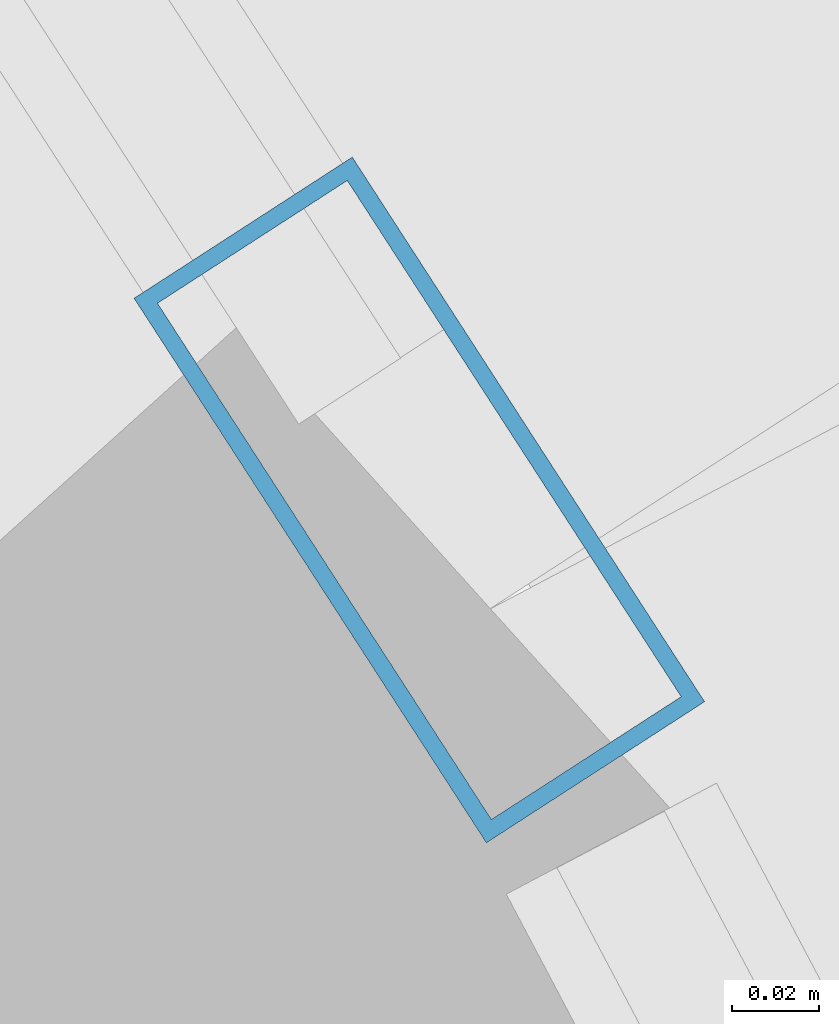
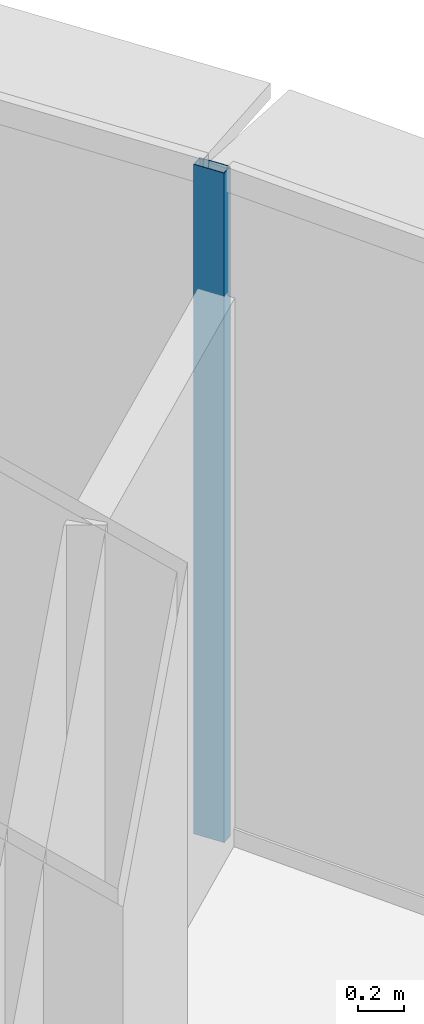
# One storey, part 20 of 40: 1 member, 1 element without a shape of its own.
"""IFC4 building model written with IfcOpenShell, lengths in metres."""

from ifc_helpers import new_model, si_unit, direction, frame, origin, origin_2d, place, context, subcontext, project, spatial, hollow_rectangle, extrude, source, transform, mapped, material, layer, layer_set, material_profile, profile_set, type_object, element, aggregate, save


model = new_model("IFC4")

# Units and contexts
model_context = context("Model", 3, precision=1e-05, world=origin(), true_north=direction((0.0, 1.0)))
body_context = subcontext(model_context, "Body", "Model", "MODEL_VIEW")
ifc_project = project(units=[si_unit("LENGTHUNIT", "METRE"), si_unit("AREAUNIT", "SQUARE_METRE"), si_unit("VOLUMEUNIT", "CUBIC_METRE"), si_unit("PLANEANGLEUNIT", "RADIAN"), si_unit("MASSUNIT", "GRAM", prefix="KILO"), si_unit("THERMODYNAMICTEMPERATUREUNIT", "KELVIN"), si_unit("POWERUNIT", "WATT")], contexts=[model_context])

# Site, building, storey
site_placement = place(None, origin())
site = spatial("IfcSite", under=ifc_project, at=site_placement, CompositionType="ELEMENT")
building_placement = place(site_placement, origin())
building = spatial("IfcBuilding", under=site, at=building_placement, Name="Yunzhuo Pagoda Commons", CompositionType="ELEMENT")
storey_placement = place(building_placement, frame((0.0, 0.0, 180.9599609375)))
storey = spatial("IfcBuildingStorey", under=building, at=storey_placement, Name="L45", CompositionType="ELEMENT", Elevation=180.9599609375)

# Curtain wall, member
ifc_material = material(Name="Anodized aluminium 6063-T6", Category="aluminium")
ifc_layer = layer(ifc_material, 0.14990234375)
ifc_layer_set = layer_set([ifc_layer], Name="Anodized aluminium 6063-T6")
curtain_wall_type = type_object("IfcCurtainWallType", Name="CW-MID Mid-Zone Ribbon Curtain Wall", PredefinedType="NOTDEFINED", material=ifc_layer_set)
curtain_wall_placement = place(storey_placement, origin())
curtain_wall = element("IfcCurtainWall", 1, at=curtain_wall_placement, inside=storey, type_object=curtain_wall_type, Name="L45 curtain wall CW-L45-F2B4", PredefinedType="NOTDEFINED")
ifc_material_profile = material_profile(ifc_material, hollow_rectangle(XDim=0.06005859375, YDim=0.14990234375, WallThickness=0.00390625, at=origin_2d()), Name="Anodized aluminium 6063-T6")
ifc_profile_set = profile_set([ifc_material_profile], Name="Anodized aluminium 6063-T6")
member_type = type_object("IfcMemberType", Name="CW-MID-M Mullion RHS 150x60x4", PredefinedType="MULLION", material=ifc_profile_set)
shared_shape = source(origin(), body_context, "Body", "SweptSolid", [
    extrude(hollow_rectangle(XDim=0.06005859375, YDim=0.14990234375, WallThickness=0.00390625, at=origin_2d()), origin(), (0.0, 0.0, 1.0), 3.5400390625),
])
member_placement = place(storey_placement, frame((72.319091796875, 55.636962890625, 0.0), z_axis=(0.0, 0.0, 1.0), x_axis=(-0.839626850374, -0.543163651335, 0.0)))
member = element("IfcMember", 2, at=member_placement, type_object=member_type, Name="CW mullion 1", PredefinedType="MULLION", context=body_context, shape_type="MappedRepresentation", body=[
    mapped(shared_shape, transform((0.0, 0.0, 0.0), scale=1.0)),
])
aggregate(curtain_wall, [member])

save(model, "model.ifc")
